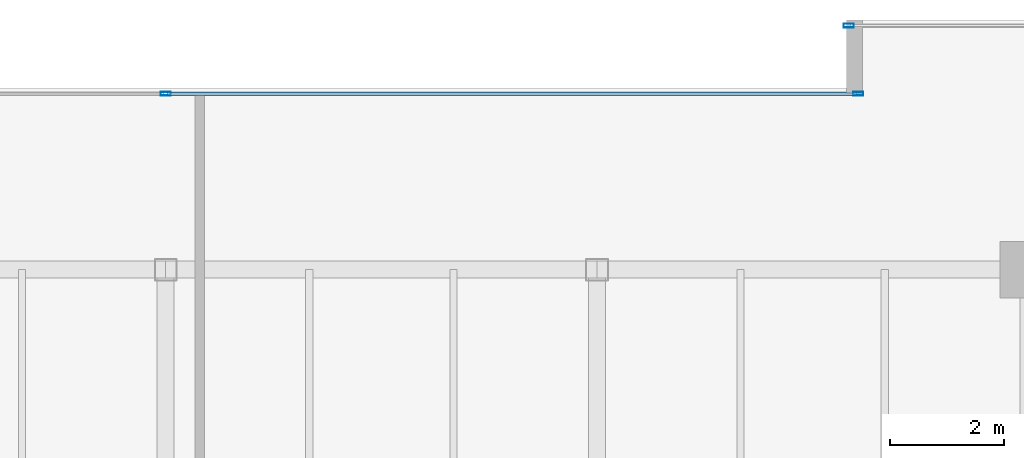
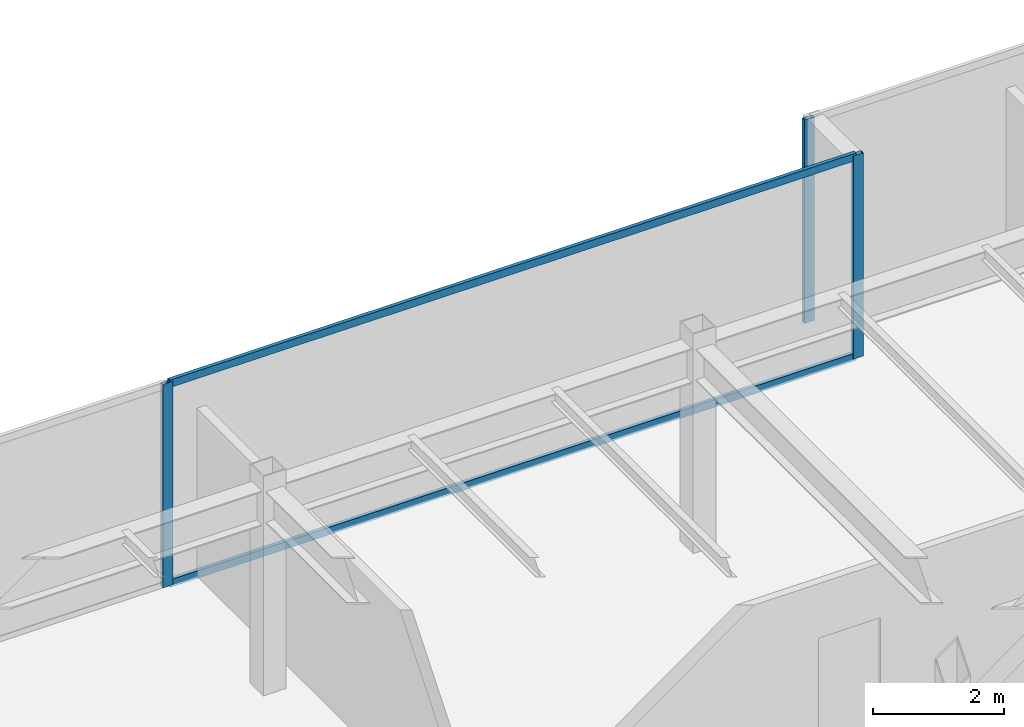
# One storey, part 19 of 33: 5 members, 2 elements without a shape of their own.
"""IFC4 building model written with IfcOpenShell, lengths in metres."""

from ifc_helpers import new_model, si_unit, direction, frame, origin, origin_2d, place, context, subcontext, project, spatial, hollow_rectangle, extrude, source, transform, mapped, material, layer, layer_set, material_profile, profile_set, type_object, type_shapes, element, aggregate, save


model = new_model("IFC4")

# Units and contexts
model_context = context("Model", 3, precision=1e-05, world=origin(), true_north=direction((0.0, 1.0)))
body_context = subcontext(model_context, "Body", "Model", "MODEL_VIEW")
ifc_project = project(units=[si_unit("LENGTHUNIT", "METRE"), si_unit("AREAUNIT", "SQUARE_METRE"), si_unit("VOLUMEUNIT", "CUBIC_METRE"), si_unit("PLANEANGLEUNIT", "RADIAN"), si_unit("MASSUNIT", "GRAM", prefix="KILO")], contexts=[model_context])

# Site, building, storey
site_placement = place(None, origin())
site = spatial("IfcSite", under=ifc_project, at=site_placement, CompositionType="ELEMENT")
building_placement = place(site_placement, origin())
building = spatial("IfcBuilding", under=site, at=building_placement, Name="Haelvirn Gate Laboratories", CompositionType="ELEMENT")
storey_placement = place(building_placement, frame((0.0, 0.0, 275.199951171875)))
storey = spatial("IfcBuildingStorey", under=building, at=storey_placement, Name="L66", CompositionType="ELEMENT", Elevation=275.199951171875)

# Curtain wall, members
ifc_material_1 = material(Name="Anodised bronze unitised aluminium & triple low-E glass", Category="aluminium")
ifc_layer = layer(ifc_material_1, 0.176025390625, Name="CW-SYS-4")
ifc_layer_set = layer_set([ifc_layer], Name="Anodised bronze unitised aluminium & triple low-E glass")
curtain_wall_type = type_object("IfcCurtainWallType", Name="CW-SYS-4", PredefinedType="NOTDEFINED", material=ifc_layer_set)
curtain_wall_1_placement = place(storey_placement, origin())
curtain_wall_1 = element("IfcCurtainWall", 1, at=curtain_wall_1_placement, inside=storey, type_object=curtain_wall_type, Name="L66 Unitised Curtain Wall CW-L66-P0-E12-1", PredefinedType="NOTDEFINED")
ifc_material_2 = material(Name="Extruded aluminium 6063-T6 (anodised bronze)", Category="aluminium")
ifc_material_profile_1 = material_profile(ifc_material_2, hollow_rectangle(XDim=0.06494140625, YDim=0.139892578125, WallThickness=0.00390625, at=origin_2d()), Name="CWT-140x65x4")
ifc_profile_set_1 = profile_set([ifc_material_profile_1], Name="Extruded aluminium 6063-T6 (anodised bronze)")
member_type_1 = type_object("IfcMemberType", Name="CWT-T140", PredefinedType="USERDEFINED", material=ifc_profile_set_1)
shared_shape_1 = source(origin(), body_context, "Body", "SweptSolid", [
    extrude(hollow_rectangle(XDim=0.06494140625, YDim=0.139892578125, WallThickness=0.00390625, at=origin_2d()), origin(), (0.0, 0.0, 1.0), 12.135009765625),
])
type_shapes(member_type_1, [shared_shape_1])
member_1_placement = place(storey_placement, frame((37.43505859375, 44.699951171875, 0.032470703125), z_axis=(1.0, 0.0, 0.0), x_axis=(0.0, 1.0, 0.0)))
member_1 = element("IfcMember", 2, at=member_1_placement, type_object=member_type_1, Name="CW4 transom 2.1", ObjectType="TRANSOM", PredefinedType="USERDEFINED", context=body_context, shape_type="MappedRepresentation", body=[
    mapped(shared_shape_1, transform((0.0, 0.0, 0.0), scale=1.0)),
])
member_2_placement = place(storey_placement, frame((37.43505859375, 44.699951171875, 3.767578125), z_axis=(1.0, 0.0, 0.0), x_axis=(0.0, 1.0, 0.0)))
member_2 = element("IfcMember", 3, at=member_2_placement, type_object=member_type_1, Name="CW4 transom 2.2", ObjectType="TRANSOM", PredefinedType="USERDEFINED", context=body_context, shape_type="MappedRepresentation", body=[
    mapped(shared_shape_1, transform((0.0, 0.0, 0.0), scale=1.0)),
])

# Curtain wall, member
curtain_wall_2_placement = place(storey_placement, origin())
curtain_wall_2 = element("IfcCurtainWall", 4, at=curtain_wall_2_placement, inside=storey, type_object=curtain_wall_type, Name="L66 Unitised Curtain Wall CW-L66-P0-E10-1", PredefinedType="NOTDEFINED")
ifc_material_profile_2 = material_profile(ifc_material_2, hollow_rectangle(XDim=0.070068359375, YDim=0.179931640625, WallThickness=0.0048828125, at=origin_2d()), Name="CWM-180x70x5")
ifc_profile_set_2 = profile_set([ifc_material_profile_2], Name="Extruded aluminium 6063-T6 (anodised bronze)")
member_type_2 = type_object("IfcMemberType", Name="CWM-T180", PredefinedType="MULLION", material=ifc_profile_set_2)
shared_shape_2 = source(origin(), body_context, "Body", "SweptSolid", [
    extrude(hollow_rectangle(XDim=0.070068359375, YDim=0.179931640625, WallThickness=0.0048828125, at=origin_2d()), origin(), (0.0, 0.0, 1.0), 3.800048828125),
])
type_shapes(member_type_2, [shared_shape_2])
member_3_placement = place(storey_placement, frame((49.43505859375, 45.89990234375, 0.0), z_axis=(0.0, 0.0, 1.0), x_axis=(0.0, 1.0, 0.0)))
member_3 = element("IfcMember", 5, at=member_3_placement, type_object=member_type_2, Name="CW4 mullion 1", PredefinedType="MULLION", context=body_context, shape_type="MappedRepresentation", body=[
    mapped(shared_shape_2, transform((0.0, 0.0, 0.0), scale=1.0)),
])
aggregate(curtain_wall_2, [member_3])

# Member
member_4_placement = place(storey_placement, frame((37.39990234375, 44.699951171875, 0.0), z_axis=(0.0, 0.0, 1.0), x_axis=(0.0, 1.0, 0.0)))
member_4 = element("IfcMember", 6, at=member_4_placement, type_object=member_type_2, Name="CW4 mullion 2", PredefinedType="MULLION", context=body_context, shape_type="MappedRepresentation", body=[
    mapped(shared_shape_2, transform((0.0, 0.0, 0.0), scale=1.0)),
])

member_5_placement = place(storey_placement, frame((49.60498046875, 44.699951171875, 0.0), z_axis=(0.0, 0.0, 1.0), x_axis=(0.0, 1.0, 0.0)))
member_5 = element("IfcMember", 7, at=member_5_placement, type_object=member_type_2, Name="CW4 mullion 3", PredefinedType="MULLION", context=body_context, shape_type="MappedRepresentation", body=[
    mapped(shared_shape_2, transform((0.0, 0.0, 0.0), scale=1.0)),
])

aggregate(curtain_wall_1, [member_4, member_5, member_1, member_2])

save(model, "model.ifc")
